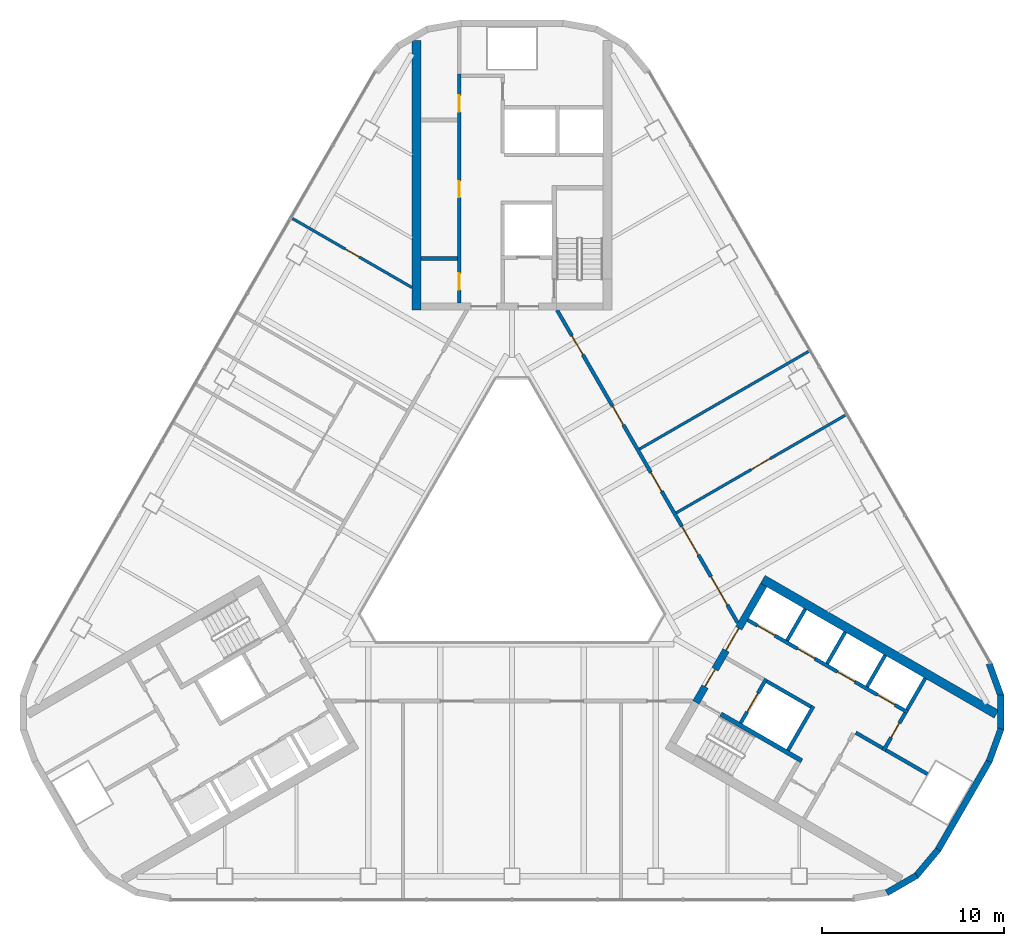
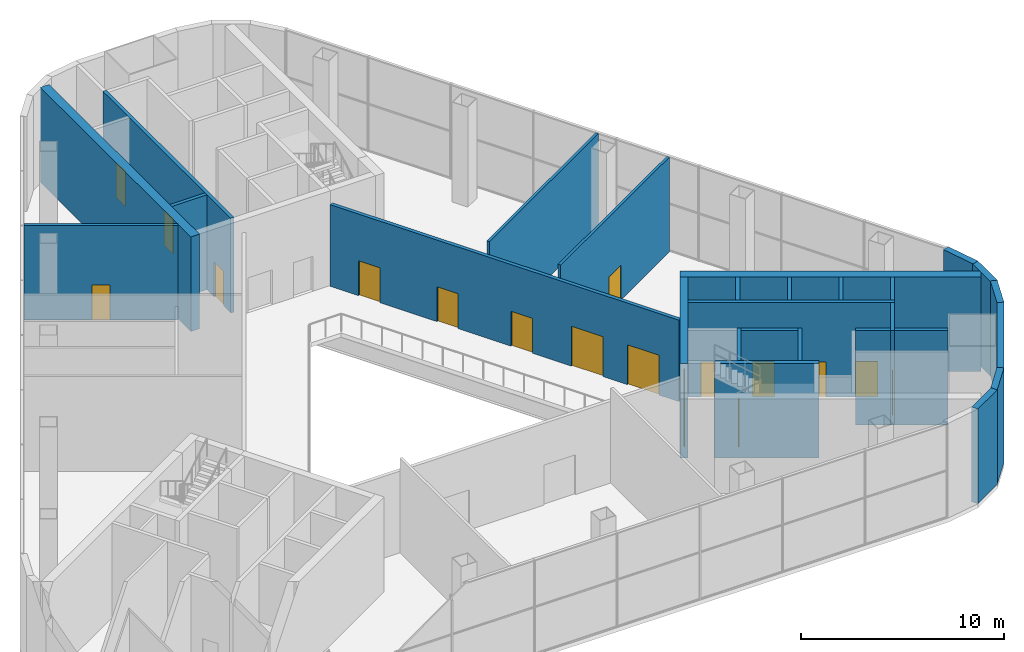
# One storey, part 9 of 14: 27 walls, 18 doors, 18 openings.
"""IFC4 building model written with IfcOpenShell, lengths in metres."""

import ifcopenshell
import ifcopenshell.guid

model = None  # the IFC model being written
_history = None  # IfcOwnerHistory: only IFC2X3 demands one
_inside = {}  # id of a spatial element -> (the spatial element, [elements in it])
_under = {}  # id of a project, library or spatial element -> (it, [spatial elements below it])
_declared = {}  # id of a project -> (the project, [libraries it declares])
_typed = {}  # id of a type object -> (the type object, [elements of that type])
_made_of = {}  # id of a material, layer set ... -> (it, [elements and type objects made of it])


def new_model(schema):
    """Start an empty IFC model of exactly this schema.

    Asked for "IFC4X3", IfcOpenShell would pick the latest addendum, in which some entities
    have other attributes; the version numbers below select the first issue.
    IFC2X3 requires an IfcOwnerHistory on every rooted entity: one is made here for all.
    """
    global model, _history
    if schema == "IFC4X3":
        model = ifcopenshell.file(schema_version=(4, 3, 0, 0))
    else:
        model = ifcopenshell.file(schema=schema)
    _inside.clear()
    _under.clear()
    _declared.clear()
    _typed.clear()
    _made_of.clear()
    _history = None
    if model.schema == "IFC2X3":
        org = make("IfcOrganization", Name="unknown")
        user = make(
            "IfcPersonAndOrganization",
            ThePerson=make("IfcPerson", FamilyName="unknown"),
            TheOrganization=org,
        )
        app = make(
            "IfcApplication",
            ApplicationDeveloper=org,
            Version="unknown",
            ApplicationFullName="unknown",
            ApplicationIdentifier="unknown",
        )
        _history = make(
            "IfcOwnerHistory",
            OwningUser=user,
            OwningApplication=app,
            ChangeAction="ADDED",
            CreationDate=0,
        )
    return model


def make(cls, **values):
    """One entity of the class cls with the attributes given. An attribute that is None is left unset."""
    return model.create_entity(
        cls, **{name: value for name, value in values.items() if value is not None}
    )


def rooted(cls, **values):
    """An entity with a GlobalId (a new one), such as an element, a storey or a relation."""
    return make(cls, GlobalId=ifcopenshell.guid.new(), OwnerHistory=_history, **values)


def si_unit(unit_type, name, prefix=None):
    """IfcSIUnit, for example si_unit("LENGTHUNIT", "METRE", prefix="MILLI")."""
    return make("IfcSIUnit", UnitType=unit_type, Prefix=prefix, Name=name)


def assignment(units):
    """IfcUnitAssignment: the units of a project."""
    return None if units is None else make("IfcUnitAssignment", Units=units)


def point(xyz):
    """IfcCartesianPoint."""
    return None if xyz is None else make("IfcCartesianPoint", Coordinates=xyz)


def direction(xyz):
    """IfcDirection."""
    return None if xyz is None else make("IfcDirection", DirectionRatios=xyz)


def frame(location, z_axis=None, x_axis=None):
    """IfcAxis2Placement3D, a coordinate frame: its origin and axes. An axis left out is left unset."""
    return make(
        "IfcAxis2Placement3D",
        Location=point(location),
        Axis=direction(z_axis),
        RefDirection=direction(x_axis),
    )


def frame_2d(location, x_axis=None):
    """IfcAxis2Placement2D, a coordinate frame in the plane: its origin and x axis."""
    return make(
        "IfcAxis2Placement2D", Location=point(location), RefDirection=direction(x_axis)
    )


def origin():
    """The frame at (0, 0, 0) with its axes left unset."""
    return frame((0.0, 0.0, 0.0))


def place(relative_to, where):
    """IfcLocalPlacement: puts the frame where relative to a parent placement (None: the world)."""
    return make(
        "IfcLocalPlacement", PlacementRelTo=relative_to, RelativePlacement=where
    )


def context(
    kind, dimensions, precision=None, world=None, true_north=None, identifier=None
):
    """IfcGeometricRepresentationContext, for example the 3D "Model" context."""
    return make(
        "IfcGeometricRepresentationContext",
        ContextIdentifier=identifier,
        ContextType=kind,
        CoordinateSpaceDimension=dimensions,
        Precision=precision,
        WorldCoordinateSystem=world,
        TrueNorth=true_north,
    )


def subcontext(parent, identifier, kind, view, scale=None):
    """IfcGeometricRepresentationSubContext, for example "Body" below "Model"."""
    return make(
        "IfcGeometricRepresentationSubContext",
        ContextIdentifier=identifier,
        ContextType=kind,
        ParentContext=parent,
        TargetScale=scale,
        TargetView=view,
    )


def project(units=None, contexts=None):
    """IfcProject with its units and contexts."""
    return rooted(
        "IfcProject",
        Name="project",
        RepresentationContexts=contexts,
        UnitsInContext=assignment(units),
    )


def spatial(cls, under=None, at=None, **own):
    """A site, building, storey or space (cls), placed at a placement, below another one or the project."""
    s = rooted(cls, ObjectPlacement=at, **own)
    if under is not None:
        _under.setdefault(under.id(), (under, []))[1].append(s)
    return s


def profile(cls, at=None, kind="AREA", **sizes):
    """A parametric profile (cls). Its sizes go by their IFC names, for example OverallWidth=200.0."""
    return make(cls, ProfileType=kind, Position=at, **sizes)


def rectangle(**sizes):
    """IfcRectangleProfileDef."""
    return profile("IfcRectangleProfileDef", **sizes)


def extrude(swept, where, along, depth):
    """IfcExtrudedAreaSolid: the profile swept, set in the frame where, extruded along a direction by depth."""
    return make(
        "IfcExtrudedAreaSolid",
        SweptArea=swept,
        Position=where,
        ExtrudedDirection=direction(along),
        Depth=depth,
    )


def shape(context_of_items, identifier, shape_type, items):
    """IfcShapeRepresentation: the items that make up one representation, for example the "Body"."""
    return make(
        "IfcShapeRepresentation",
        ContextOfItems=context_of_items,
        RepresentationIdentifier=identifier,
        RepresentationType=shape_type,
        Items=items,
    )


def material(Name=None, Category=None):
    """IfcMaterial."""
    return make("IfcMaterial", Name=Name, Category=Category)


def layer(
    of_material, thickness, ventilated=None, Name=None, Category=None, Priority=None
):
    """IfcMaterialLayer: one layer of a wall or slab, of a material (None: an air gap)."""
    return make(
        "IfcMaterialLayer",
        Material=of_material,
        LayerThickness=thickness,
        IsVentilated=ventilated,
        Name=Name,
        Category=Category,
        Priority=Priority,
    )


def layer_set(layers, Name=None):
    """IfcMaterialLayerSet."""
    return make("IfcMaterialLayerSet", MaterialLayers=layers, LayerSetName=Name)


def made_of(thing, what):
    """Note that an element or type object is made of a material, layer set ...; save() writes the relation."""
    if what is not None:
        _made_of.setdefault(what.id(), (what, []))[1].append(thing)
    return thing


def type_object(cls, material=None, **own):
    """A type object (cls), such as IfcWallType, which elements share."""
    return made_of(rooted(cls, **own), material)


def element(
    cls,
    number,
    at=None,
    inside=None,
    cuts=None,
    type_object=None,
    material=None,
    context=None,
    identifier="Body",
    shape_type=None,
    held_by="IfcProductDefinitionShape",
    body=None,
    shapes=None,
    **own,
):
    """One element of the class cls, such as IfcWall. Its Tag is "e" and its number.

    at: its placement. inside: the storey or other place that contains it. cuts: it is an
    opening in that element (IfcRelVoidsElement). A single representation is given by context,
    identifier, shape_type and body (its items); several are given by shapes. held_by: the class
    of the entity that holds the representations. save() writes the other relations.
    """
    e = rooted(cls, Tag="e%d" % number, ObjectPlacement=at, **own)
    if body is not None:
        shapes = [shape(context, identifier, shape_type, body)]
    if shapes is not None:
        e.Representation = make(held_by, Representations=shapes)
    if inside is not None:
        _inside.setdefault(inside.id(), (inside, []))[1].append(e)
    if cuts is not None:
        rooted(
            "IfcRelVoidsElement", RelatingBuildingElement=cuts, RelatedOpeningElement=e
        )
    if type_object is not None:
        _typed.setdefault(type_object.id(), (type_object, []))[1].append(e)
    return made_of(e, material)


def fill(opening, filler):
    """IfcRelFillsElement: the door or window that sits in an opening."""
    return rooted(
        "IfcRelFillsElement",
        RelatingOpeningElement=opening,
        RelatedBuildingElement=filler,
    )


def aggregate(whole, parts):
    """IfcRelAggregates: a whole, such as a stair, and the parts it consists of."""
    return rooted("IfcRelAggregates", RelatingObject=whole, RelatedObjects=parts)


def save(model, path):
    """Write the relations noted so far, then the file.

    IfcRelAggregates (storeys below a building ...), IfcRelContainedInSpatialStructure (elements
    in a storey), IfcRelDefinesByType, IfcRelAssociatesMaterial and IfcRelDeclares: one each for
    every whole, place, type object, material and project.
    """
    for whole, parts in _under.values():
        aggregate(whole, parts)
    for where, things in _inside.values():
        rooted(
            "IfcRelContainedInSpatialStructure",
            RelatedElements=things,
            RelatingStructure=where,
        )
    for kind, things in _typed.values():
        rooted("IfcRelDefinesByType", RelatedObjects=things, RelatingType=kind)
    for what, things in _made_of.values():
        rooted("IfcRelAssociatesMaterial", RelatedObjects=things, RelatingMaterial=what)
    for by, libraries in _declared.values():
        rooted("IfcRelDeclares", RelatingContext=by, RelatedDefinitions=libraries)
    model.write(path)


model = new_model("IFC4")

# Units and contexts
model_context = context("Model", 3, precision=1e-05, world=origin(), true_north=direction((0.0, 1.0)))
body_context = subcontext(model_context, "Body", "Model", "MODEL_VIEW")
ifc_project = project(units=[si_unit("LENGTHUNIT", "METRE"), si_unit("AREAUNIT", "SQUARE_METRE"), si_unit("VOLUMEUNIT", "CUBIC_METRE"), si_unit("PLANEANGLEUNIT", "RADIAN"), si_unit("MASSUNIT", "GRAM", prefix="KILO")], contexts=[model_context])

# Site, building, storey
site_placement = place(None, origin())
site = spatial("IfcSite", under=ifc_project, at=site_placement, CompositionType="ELEMENT")
building_placement = place(site_placement, origin())
building = spatial("IfcBuilding", under=site, at=building_placement, Name="Apuvela Tower Hotel", CompositionType="ELEMENT")
storey_placement = place(building_placement, frame((0.0, 0.0, 131.60009765625)))
storey = spatial("IfcBuildingStorey", under=building, at=storey_placement, Name="L31", CompositionType="ELEMENT", Elevation=131.60009765625)

# Wall, openings, doors
ifc_material_1 = material(Name="Concrete C50/60", Category="concrete")
ifc_layer_1 = layer(ifc_material_1, 0.39990234375)
ifc_layer_set_1 = layer_set([ifc_layer_1], Name="COR-WALL-CORE-400")
wall_type_1 = type_object("IfcWallType", Name="COR-WALL-CORE-400", PredefinedType="SHEAR", material=ifc_layer_set_1)
wall_1_placement = place(storey_placement, frame((10.119873046875, -8.671875, 0.0), z_axis=(0.0, 0.0, 1.0), x_axis=(0.500008956979, 0.866020232408, 0.0)))
wall_1 = element("IfcWall", 1, at=wall_1_placement, inside=storey, type_object=wall_type_1, Name="Core wall SE", PredefinedType="SHEAR", context=body_context, shape_type="SweptSolid", body=[
    extrude(rectangle(XDim=7.449951171875, YDim=0.39990234375, at=frame_2d((3.72509765625, 0.0))), origin(), (0.0, 0.0, 1.0), 5.699951171875),
])
opening_1_placement = place(wall_1_placement, frame((1.0, 0.0, 0.0)))
opening_1 = element("IfcOpeningElement", 2, at=opening_1_placement, cuts=wall_1, Name="Opening E-FD", PredefinedType="OPENING", context=body_context, shape_type="SweptSolid", body=[
    extrude(rectangle(XDim=1.10009765625, YDim=2.10009765625, at=frame_2d((0.550048828125, 1.050048828125))), frame((0.0, 0.2099609375, 0.0), z_axis=(0.0, -1.0, 0.0), x_axis=(1.0, 0.0, 0.0)), (0.0, 0.0, 1.0), 0.419921875),
])
opening_2_placement = place(wall_1_placement, frame((3.300048828125, 0.0, 0.0)))
opening_2 = element("IfcOpeningElement", 3, at=opening_2_placement, cuts=wall_1, Name="Opening E-GD", PredefinedType="OPENING", context=body_context, shape_type="SweptSolid", body=[
    extrude(rectangle(XDim=1.39990234375, YDim=2.10009765625, at=frame_2d((0.699951171875, 1.050048828125))), frame((0.0, 0.2099609375, 0.0), z_axis=(0.0, -1.0, 0.0), x_axis=(1.0, 0.0, 0.0)), (0.0, 0.0, 1.0), 0.419921875),
])
ifc_material_2 = material(Name="Steel fire door, powder coated", Category="steel")
door_type_1 = type_object("IfcDoorType", Name="COR-FD-1100", OperationType="NOTDEFINED", PredefinedType="DOOR", material=ifc_material_2)
door_1_placement = place(opening_1_placement, frame((1.10009765625, 0.0, 0.0), z_axis=(0.0, 0.0, 1.0), x_axis=(-1.0, 0.0, 0.0)))
door_1 = element("IfcDoor", 4, at=door_1_placement, inside=storey, type_object=door_type_1, Name="Firefighting lobby door E-FD", OperationType="SINGLE_SWING_LEFT", OverallHeight=2.10009765625, OverallWidth=1.10009765625, PredefinedType="DOOR", context=body_context, shape_type="SweptSolid", body=[
    extrude(rectangle(XDim=1.10009765625, YDim=2.10009765625, at=frame_2d((0.550048828125, 1.050048828125))), frame((0.0, 0.02490234375, 0.0), z_axis=(0.0, -1.0, 0.0), x_axis=(1.0, 0.0, 0.0)), (0.0, 0.0, 1.0), 0.050048828125),
])
fill(opening_1, door_1)
ifc_material_3 = material(Name="Glazed steel fire door", Category="steel")
door_type_2 = type_object("IfcDoorType", Name="COR-GD-1400", OperationType="DOUBLE_DOOR_SINGLE_SWING", PredefinedType="DOOR", material=ifc_material_3)
door_2_placement = place(opening_2_placement, frame((1.39990234375, 0.0, 0.0), z_axis=(0.0, 0.0, 1.0), x_axis=(-1.0, 0.0, 0.0)))
door_2 = element("IfcDoor", 5, at=door_2_placement, inside=storey, type_object=door_type_2, Name="Lift lobby door E-GD", OperationType="DOUBLE_DOOR_SINGLE_SWING", OverallHeight=2.10009765625, OverallWidth=1.39990234375, PredefinedType="DOOR", context=body_context, shape_type="SweptSolid", body=[
    extrude(rectangle(XDim=1.39990234375, YDim=2.10009765625, at=frame_2d((0.699951171875, 1.050048828125))), frame((0.0, 0.02490234375, 0.0), z_axis=(0.0, -1.0, 0.0), x_axis=(1.0, 0.0, 0.0)), (0.0, 0.0, 1.0), 0.050048828125),
])
fill(opening_2, door_2)

# Walls
ifc_layer_2 = layer(ifc_material_1, 0.5)
ifc_layer_set_2 = layer_set([ifc_layer_2], Name="COR-WALL-CORE-500")
wall_type_2 = type_object("IfcWallType", Name="COR-WALL-CORE-500", PredefinedType="SHEAR", material=ifc_layer_set_2)
for number, where, z_axis, x_axis, name in (
    (6, (-5.25, 12.89990234375, 0.0), (0.0, 0.0, 1.0), (0.0, 1.0, 0.0), "Core wall N"),
    (7, (13.796630859375, -1.9033203125, 0.0), (0.0, 0.0, 1.0), (0.866025009528, -0.500000682871, 0.0), "Core wall SE"),
):
    element("IfcWall", number, at=place(storey_placement, frame(where, z_axis=z_axis, x_axis=x_axis)), inside=storey, type_object=wall_type_2, Name=name, PredefinedType="SHEAR", context=body_context, shape_type="SweptSolid", body=[
        extrude(rectangle(XDim=14.8369140625, YDim=0.5, at=frame_2d((7.41845703125, 0.0))), origin(), (0.0, 0.0, 1.0), 5.699951171875),
    ])

# Wall, openings, doors
ifc_layer_3 = layer(ifc_material_1, 0.199951171875)
ifc_layer_set_3 = layer_set([ifc_layer_3], Name="COR-WALL-SHAFT-200")
wall_type_3 = type_object("IfcWallType", Name="COR-WALL-SHAFT-200", PredefinedType="SHEAR", material=ifc_layer_set_3)
wall_2_placement = place(storey_placement, frame((-2.89990234375, 13.300048828125, 0.0), z_axis=(0.0, 0.0, 1.0), x_axis=(0.0, 1.0, 0.0)))
wall_2 = element("IfcWall", 8, at=wall_2_placement, inside=storey, type_object=wall_type_3, Name="Shaft wall N", PredefinedType="SHEAR", context=body_context, shape_type="SweptSolid", body=[
    extrude(rectangle(XDim=12.599853515625, YDim=0.199951171875, at=frame_2d((6.2998046875, 0.0))), origin(), (0.0, 0.0, 1.0), 5.699951171875),
])
opening_3_placement = place(wall_2_placement, frame((0.719970703125, 0.0, 0.0)))
opening_3 = element("IfcOpeningElement", 9, at=opening_3_placement, cuts=wall_2, Name="Opening N-RE1", PredefinedType="OPENING", context=body_context, shape_type="SweptSolid", body=[
    extrude(rectangle(XDim=0.89990234375, YDim=2.10009765625, at=frame_2d((0.449951171875, 1.050048828125))), frame((0.0, 0.10986328125, 0.0), z_axis=(0.0, -1.0, 0.0), x_axis=(1.0, 0.0, 0.0)), (0.0, 0.0, 1.0), 0.219970703125),
])
opening_4_placement = place(wall_2_placement, frame((5.800048828125, 0.0, 0.0)))
opening_4 = element("IfcOpeningElement", 10, at=opening_4_placement, cuts=wall_2, Name="Opening N-RE2", PredefinedType="OPENING", context=body_context, shape_type="SweptSolid", body=[
    extrude(rectangle(XDim=0.89990234375, YDim=2.10009765625, at=frame_2d((0.449951171875, 1.050048828125))), frame((0.0, 0.10986328125, 0.0), z_axis=(0.0, -1.0, 0.0), x_axis=(1.0, 0.0, 0.0)), (0.0, 0.0, 1.0), 0.219970703125),
])
opening_5_placement = place(wall_2_placement, frame((10.510009765625, 0.0, 0.0)))
opening_5 = element("IfcOpeningElement", 11, at=opening_5_placement, cuts=wall_2, Name="Opening N-REP", PredefinedType="OPENING", context=body_context, shape_type="SweptSolid", body=[
    extrude(rectangle(XDim=0.89990234375, YDim=2.10009765625, at=frame_2d((0.449951171875, 1.050048828125))), frame((0.0, 0.10986328125, 0.0), z_axis=(0.0, -1.0, 0.0), x_axis=(1.0, 0.0, 0.0)), (0.0, 0.0, 1.0), 0.219970703125),
])
door_type_3 = type_object("IfcDoorType", Name="COR-DR-900", OperationType="NOTDEFINED", PredefinedType="DOOR", material=ifc_material_2)
door_3_placement = place(opening_3_placement, origin())
door_3 = element("IfcDoor", 12, at=door_3_placement, inside=storey, type_object=door_type_3, Name="Store door N-RE1", OperationType="SINGLE_SWING_LEFT", OverallHeight=2.10009765625, OverallWidth=0.89990234375, PredefinedType="DOOR", context=body_context, shape_type="SweptSolid", body=[
    extrude(rectangle(XDim=0.89990234375, YDim=2.10009765625, at=frame_2d((0.449951171875, 1.050048828125))), frame((0.0, 0.02490234375, 0.0), z_axis=(0.0, -1.0, 0.0), x_axis=(1.0, 0.0, 0.0)), (0.0, 0.0, 1.0), 0.050048828125),
])
fill(opening_3, door_3)
door_4_placement = place(opening_4_placement, origin())
door_4 = element("IfcDoor", 13, at=door_4_placement, inside=storey, type_object=door_type_3, Name="Store door N-RE2", OperationType="SINGLE_SWING_RIGHT", OverallHeight=2.10009765625, OverallWidth=0.89990234375, PredefinedType="DOOR", context=body_context, shape_type="SweptSolid", body=[
    extrude(rectangle(XDim=0.89990234375, YDim=2.10009765625, at=frame_2d((0.449951171875, 1.050048828125))), frame((0.0, 0.02490234375, 0.0), z_axis=(0.0, -1.0, 0.0), x_axis=(1.0, 0.0, 0.0)), (0.0, 0.0, 1.0), 0.050048828125),
])
fill(opening_4, door_4)
door_5_placement = place(opening_5_placement, origin())
door_5 = element("IfcDoor", 14, at=door_5_placement, inside=storey, type_object=door_type_3, Name="Store door N-REP", OperationType="SINGLE_SWING_RIGHT", OverallHeight=2.10009765625, OverallWidth=0.89990234375, PredefinedType="DOOR", context=body_context, shape_type="SweptSolid", body=[
    extrude(rectangle(XDim=0.89990234375, YDim=2.10009765625, at=frame_2d((0.449951171875, 1.050048828125))), frame((0.0, 0.02490234375, 0.0), z_axis=(0.0, -1.0, 0.0), x_axis=(1.0, 0.0, 0.0)), (0.0, 0.0, 1.0), 0.050048828125),
])
fill(opening_5, door_5)

# Walls
wall_3_placement = place(storey_placement, frame((-3.0, 15.739990234375, 0.0), z_axis=(0.0, 0.0, 1.0), x_axis=(-1.0, 0.0, 0.0)))
element("IfcWall", 15, at=wall_3_placement, inside=storey, type_object=wall_type_3, Name="Shaft wall N", PredefinedType="SHEAR", context=body_context, shape_type="SweptSolid", body=[
    extrude(rectangle(XDim=2.0, YDim=0.199951171875, at=frame_2d((1.0, 0.0))), origin(), (0.0, 0.0, 1.0), 5.699951171875),
])
wall_4_placement = place(storey_placement, frame((15.181396484375, -11.305419921875, 0.0), z_axis=(0.0, 0.0, 1.0), x_axis=(0.49994636267, 0.866056369097, 0.0)))
element("IfcWall", 16, at=wall_4_placement, inside=storey, type_object=wall_type_3, Name="Shaft wall SE", PredefinedType="SHEAR", context=body_context, shape_type="SweptSolid", body=[
    extrude(rectangle(XDim=2.800048828125, YDim=0.199951171875, at=frame_2d((1.39990234375, 0.0))), origin(), (0.0, 0.0, 1.0), 5.699951171875),
])

# Wall, opening, door
wall_5_placement = place(storey_placement, frame((12.583251953125, -9.805419921875, 0.0), z_axis=(0.0, 0.0, 1.0), x_axis=(0.49994636267, 0.866056369097, 0.0)))
wall_5 = element("IfcWall", 17, at=wall_5_placement, inside=storey, type_object=wall_type_3, Name="Shaft wall SE", PredefinedType="SHEAR", context=body_context, shape_type="SweptSolid", body=[
    extrude(rectangle(XDim=2.800048828125, YDim=0.199951171875, at=frame_2d((1.39990234375, 0.0))), origin(), (0.0, 0.0, 1.0), 5.699951171875),
])
opening_6_placement = place(wall_5_placement, frame((0.699951171875, 0.0, 0.0)))
opening_6 = element("IfcOpeningElement", 18, at=opening_6_placement, cuts=wall_5, Name="Opening E-LD-FS3", PredefinedType="OPENING", context=body_context, shape_type="SweptSolid", body=[
    extrude(rectangle(XDim=1.199951171875, YDim=2.10009765625, at=frame_2d((0.60009765625, 1.050048828125))), frame((0.0, 0.10986328125, 0.0), z_axis=(0.0, -1.0, 0.0), x_axis=(1.0, 0.0, 0.0)), (0.0, 0.0, 1.0), 0.219970703125),
])
ifc_material_4 = material(Name="Stainless steel lift landing door", Category="steel")
door_type_4 = type_object("IfcDoorType", Name="COR-LD-1200", OperationType="DOUBLE_DOOR_SLIDING", PredefinedType="DOOR", material=ifc_material_4)
door_6_placement = place(opening_6_placement, origin())
door_6 = element("IfcDoor", 19, at=door_6_placement, inside=storey, type_object=door_type_4, Name="Lift landing door E-LD-FS3", OperationType="DOUBLE_DOOR_SLIDING", OverallHeight=2.10009765625, OverallWidth=1.199951171875, PredefinedType="DOOR", context=body_context, shape_type="SweptSolid", body=[
    extrude(rectangle(XDim=1.199951171875, YDim=2.10009765625, at=frame_2d((0.60009765625, 1.050048828125))), frame((0.0, 0.02490234375, 0.0), z_axis=(0.0, -1.0, 0.0), x_axis=(1.0, 0.0, 0.0)), (0.0, 0.0, 1.0), 0.050048828125),
])
fill(opening_6, door_6)

# Wall
wall_6_placement = place(storey_placement, frame((14.019775390625, -7.51708984375, 0.0), z_axis=(0.0, 0.0, 1.0), x_axis=(0.866034573852, -0.49998411664, 0.0)))
element("IfcWall", 20, at=wall_6_placement, inside=storey, type_object=wall_type_3, Name="Shaft wall SE", PredefinedType="SHEAR", context=body_context, shape_type="SweptSolid", body=[
    extrude(rectangle(XDim=2.7998046875, YDim=0.199951171875, at=frame_2d((1.39990234375, 0.0))), origin(), (0.0, 0.0, 1.0), 5.699951171875),
])

# Wall, openings, doors
wall_7_placement = place(storey_placement, frame((12.968017578125, -4.138427734375, 0.0), z_axis=(0.0, 0.0, 1.0), x_axis=(0.866028328073, -0.49999493495, 0.0)))
wall_7 = element("IfcWall", 21, at=wall_7_placement, inside=storey, type_object=wall_type_3, Name="Shaft wall SE", PredefinedType="SHEAR", context=body_context, shape_type="SweptSolid", body=[
    extrude(rectangle(XDim=10.16015625, YDim=0.199951171875, at=frame_2d((5.080078125, 0.0))), origin(), (0.0, 0.0, 1.0), 5.699951171875),
])
opening_7_placement = place(wall_7_placement, frame((0.6201171875, 0.0, 0.0)))
opening_7 = element("IfcOpeningElement", 22, at=opening_7_placement, cuts=wall_7, Name="Opening E-LD-LR1", PredefinedType="OPENING", context=body_context, shape_type="SweptSolid", body=[
    extrude(rectangle(XDim=1.10009765625, YDim=2.10009765625, at=frame_2d((0.550048828125, 1.050048828125))), frame((0.0, 0.10986328125, 0.0), z_axis=(0.0, -1.0, 0.0), x_axis=(1.0, 0.0, 0.0)), (0.0, 0.0, 1.0), 0.219970703125),
])
opening_8_placement = place(wall_7_placement, frame((3.159912109375, 0.0, 0.0)))
opening_8 = element("IfcOpeningElement", 23, at=opening_8_placement, cuts=wall_7, Name="Opening E-LD-LR2", PredefinedType="OPENING", context=body_context, shape_type="SweptSolid", body=[
    extrude(rectangle(XDim=1.10009765625, YDim=2.10009765625, at=frame_2d((0.550048828125, 1.050048828125))), frame((0.0, 0.10986328125, 0.0), z_axis=(0.0, -1.0, 0.0), x_axis=(1.0, 0.0, 0.0)), (0.0, 0.0, 1.0), 0.219970703125),
])
opening_9_placement = place(wall_7_placement, frame((5.699951171875, 0.0, 0.0)))
opening_9 = element("IfcOpeningElement", 24, at=opening_9_placement, cuts=wall_7, Name="Opening E-LD-LR3", PredefinedType="OPENING", context=body_context, shape_type="SweptSolid", body=[
    extrude(rectangle(XDim=1.10009765625, YDim=2.10009765625, at=frame_2d((0.550048828125, 1.050048828125))), frame((0.0, 0.10986328125, 0.0), z_axis=(0.0, -1.0, 0.0), x_axis=(1.0, 0.0, 0.0)), (0.0, 0.0, 1.0), 0.219970703125),
])
opening_10_placement = place(wall_7_placement, frame((8.239990234375, 0.0, 0.0)))
opening_10 = element("IfcOpeningElement", 25, at=opening_10_placement, cuts=wall_7, Name="Opening E-LD-LR4", PredefinedType="OPENING", context=body_context, shape_type="SweptSolid", body=[
    extrude(rectangle(XDim=1.10009765625, YDim=2.10009765625, at=frame_2d((0.550048828125, 1.050048828125))), frame((0.0, 0.10986328125, 0.0), z_axis=(0.0, -1.0, 0.0), x_axis=(1.0, 0.0, 0.0)), (0.0, 0.0, 1.0), 0.219970703125),
])
door_type_5 = type_object("IfcDoorType", Name="COR-LD-1100", OperationType="DOUBLE_DOOR_SLIDING", PredefinedType="DOOR", material=ifc_material_4)
door_7_placement = place(opening_7_placement, origin())
door_7 = element("IfcDoor", 26, at=door_7_placement, inside=storey, type_object=door_type_5, Name="Lift landing door E-LD-LR1", OperationType="DOUBLE_DOOR_SLIDING", OverallHeight=2.10009765625, OverallWidth=1.10009765625, PredefinedType="DOOR", context=body_context, shape_type="SweptSolid", body=[
    extrude(rectangle(XDim=1.10009765625, YDim=2.10009765625, at=frame_2d((0.550048828125, 1.050048828125))), frame((0.0, 0.02490234375, 0.0), z_axis=(0.0, -1.0, 0.0), x_axis=(1.0, 0.0, 0.0)), (0.0, 0.0, 1.0), 0.050048828125),
])
fill(opening_7, door_7)
door_8_placement = place(opening_8_placement, origin())
door_8 = element("IfcDoor", 27, at=door_8_placement, inside=storey, type_object=door_type_5, Name="Lift landing door E-LD-LR2", OperationType="DOUBLE_DOOR_SLIDING", OverallHeight=2.10009765625, OverallWidth=1.10009765625, PredefinedType="DOOR", context=body_context, shape_type="SweptSolid", body=[
    extrude(rectangle(XDim=1.10009765625, YDim=2.10009765625, at=frame_2d((0.550048828125, 1.050048828125))), frame((0.0, 0.02490234375, 0.0), z_axis=(0.0, -1.0, 0.0), x_axis=(1.0, 0.0, 0.0)), (0.0, 0.0, 1.0), 0.050048828125),
])
fill(opening_8, door_8)
door_9_placement = place(opening_9_placement, origin())
door_9 = element("IfcDoor", 28, at=door_9_placement, inside=storey, type_object=door_type_5, Name="Lift landing door E-LD-LR3", OperationType="DOUBLE_DOOR_SLIDING", OverallHeight=2.10009765625, OverallWidth=1.10009765625, PredefinedType="DOOR", context=body_context, shape_type="SweptSolid", body=[
    extrude(rectangle(XDim=1.10009765625, YDim=2.10009765625, at=frame_2d((0.550048828125, 1.050048828125))), frame((0.0, 0.02490234375, 0.0), z_axis=(0.0, -1.0, 0.0), x_axis=(1.0, 0.0, 0.0)), (0.0, 0.0, 1.0), 0.050048828125),
])
fill(opening_9, door_9)
door_10_placement = place(opening_10_placement, origin())
door_10 = element("IfcDoor", 29, at=door_10_placement, inside=storey, type_object=door_type_5, Name="Lift landing door E-LD-LR4", OperationType="DOUBLE_DOOR_SLIDING", OverallHeight=2.10009765625, OverallWidth=1.10009765625, PredefinedType="DOOR", context=body_context, shape_type="SweptSolid", body=[
    extrude(rectangle(XDim=1.10009765625, YDim=2.10009765625, at=frame_2d((0.550048828125, 1.050048828125))), frame((0.0, 0.02490234375, 0.0), z_axis=(0.0, -1.0, 0.0), x_axis=(1.0, 0.0, 0.0)), (0.0, 0.0, 1.0), 0.050048828125),
])
fill(opening_10, door_10)

# Wall, opening, door
wall_8_placement = place(storey_placement, frame((20.430419921875, -11.33349609375, 0.0), z_axis=(0.0, 0.0, 1.0), x_axis=(0.500001309137, 0.866024647952, 0.0)))
wall_8 = element("IfcWall", 30, at=wall_8_placement, inside=storey, type_object=wall_type_3, Name="Shaft wall SE", PredefinedType="SHEAR", context=body_context, shape_type="SweptSolid", body=[
    extrude(rectangle(XDim=2.39990234375, YDim=0.199951171875, at=frame_2d((1.199951171875, 0.0))), origin(), (0.0, 0.0, 1.0), 5.699951171875),
])
opening_11_placement = place(wall_8_placement, frame((0.85009765625, 0.0, 0.0)))
opening_11 = element("IfcOpeningElement", 31, at=opening_11_placement, cuts=wall_8, Name="Opening E-REP", PredefinedType="OPENING", context=body_context, shape_type="SweptSolid", body=[
    extrude(rectangle(XDim=0.89990234375, YDim=2.10009765625, at=frame_2d((0.449951171875, 1.050048828125))), frame((0.0, 0.10986328125, 0.0), z_axis=(0.0, -1.0, 0.0), x_axis=(1.0, 0.0, 0.0)), (0.0, 0.0, 1.0), 0.219970703125),
])
door_11_placement = place(opening_11_placement, frame((0.89990234375, 0.0, 0.0), z_axis=(0.0, 0.0, 1.0), x_axis=(-1.0, 0.0, 0.0)))
door_11 = element("IfcDoor", 32, at=door_11_placement, inside=storey, type_object=door_type_3, Name="Store door E-REP", OperationType="SINGLE_SWING_RIGHT", OverallHeight=2.10009765625, OverallWidth=0.89990234375, PredefinedType="DOOR", context=body_context, shape_type="SweptSolid", body=[
    extrude(rectangle(XDim=0.89990234375, YDim=2.10009765625, at=frame_2d((0.449951171875, 1.050048828125))), frame((0.0, 0.02490234375, 0.0), z_axis=(0.0, -1.0, 0.0), x_axis=(1.0, 0.0, 0.0)), (0.0, 0.0, 1.0), 0.050048828125),
])
fill(opening_11, door_11)

# Walls
wall_9_placement = place(storey_placement, frame((18.912841796875, -10.342041015625, 0.0), z_axis=(0.0, 0.0, 1.0), x_axis=(0.866038183914, -0.499977863513, 0.0)))
element("IfcWall", 33, at=wall_9_placement, inside=storey, type_object=wall_type_3, Name="Shaft wall SE", PredefinedType="SHEAR", context=body_context, shape_type="SweptSolid", body=[
    extrude(rectangle(XDim=1.7099609375, YDim=0.199951171875, at=frame_2d((0.85498046875, 0.0))), origin(), (0.0, 0.0, 1.0), 5.699951171875),
])
for number, where, z_axis, x_axis, name in (
    (34, (15.131103515625, -5.27197265625, 0.0), (0.0, 0.0, 1.0), (0.499972520799, 0.866041268327, 0.0), "Shaft wall SE"),
    (35, (17.330810546875, -6.5419921875, 0.0), (0.0, 0.0, 1.0), (0.499972520799, 0.866041268327, 0.0), "Shaft wall SE"),
    (36, (19.530517578125, -7.81201171875, 0.0), (0.0, 0.0, 1.0), (0.499972520799, 0.866041268327, 0.0), "Shaft wall SE"),
    (37, (21.73046875, -9.081787109375, 0.0), (0.0, 0.0, 1.0), (0.50002537861, 0.866010750942, 0.0), "Shaft wall SE"),
):
    element("IfcWall", number, at=place(storey_placement, frame(where, z_axis=z_axis, x_axis=x_axis)), inside=storey, type_object=wall_type_3, Name=name, PredefinedType="SHEAR", context=body_context, shape_type="SweptSolid", body=[
        extrude(rectangle(XDim=2.0, YDim=0.199951171875, at=frame_2d((1.0, 0.0))), origin(), (0.0, 0.0, 1.0), 5.699951171875),
    ])
wall_10_placement = place(storey_placement, frame((20.56689453125, -11.297119140625, 0.0), z_axis=(0.0, 0.0, 1.0), x_axis=(0.866060851709, -0.499938597367, 0.0)))
element("IfcWall", 38, at=wall_10_placement, inside=storey, type_object=wall_type_3, Name="Shaft wall SE", PredefinedType="SHEAR", context=body_context, shape_type="SweptSolid", body=[
    extrude(rectangle(XDim=2.639892578125, YDim=0.199951171875, at=frame_2d((1.31982421875, 0.0))), origin(), (0.0, 0.0, 1.0), 5.699951171875),
])
ifc_layer_4 = layer(ifc_material_1, 0.25)
ifc_layer_set_4 = layer_set([ifc_layer_4], Name="COR-WALL-STAIR-250")
wall_type_4 = type_object("IfcWallType", Name="COR-WALL-STAIR-250", PredefinedType="SHEAR", material=ifc_layer_set_4)
wall_11_placement = place(storey_placement, frame((11.48681640625, -9.31640625, 0.0), z_axis=(0.0, 0.0, 1.0), x_axis=(0.866011695431, -0.500023742813, 0.0)))
element("IfcWall", 39, at=wall_11_placement, inside=storey, type_object=wall_type_4, Name="Stair wall SE", PredefinedType="SHEAR", context=body_context, shape_type="SweptSolid", body=[
    extrude(rectangle(XDim=5.143798828125, YDim=0.25, at=frame_2d((2.57177734375, 0.0))), origin(), (0.0, 0.0, 1.0), 5.699951171875),
])
ifc_material_5 = material(Name="Concrete C40/50, dark pigmented precast panel", Category="concrete")
ifc_layer_5 = layer(ifc_material_5, 0.35009765625)
ifc_layer_set_5 = layer_set([ifc_layer_5], Name="ENV-WALL-350")
wall_type_5 = type_object("IfcWallType", Name="ENV-WALL-350", PredefinedType="SOLIDWALL", material=ifc_layer_set_5)
for number, where, z_axis, x_axis, name in (
    (40, (20.609619140625, -19.146728515625, 0.0), (0.0, 0.0, 1.0), (0.866000389056, 0.500043324278, 0.0), "External wall L31-17"),
    (41, (22.217041015625, -18.230712890625, 0.0), (0.0, 0.0, 1.0), (0.642808304945, 0.766027077259, 0.0), "External wall L31-18"),
):
    element("IfcWall", number, at=place(storey_placement, frame(where, z_axis=z_axis, x_axis=x_axis)), inside=storey, type_object=wall_type_5, Name=name, PredefinedType="SOLIDWALL", context=body_context, shape_type="SweptSolid", body=[
        extrude(rectangle(XDim=1.909912109375, YDim=0.35009765625, at=frame_2d((0.955078125, 0.0))), origin(), (0.0, 0.0, 1.0), 5.699951171875),
    ])
wall_12_placement = place(storey_placement, frame((23.427490234375, -16.79248046875, 0.0), z_axis=(0.0, 0.0, 1.0), x_axis=(0.499986410639, 0.866033249463, 0.0)))
element("IfcWall", 42, at=wall_12_placement, inside=storey, type_object=wall_type_5, Name="External wall L31-19", PredefinedType="SOLIDWALL", context=body_context, shape_type="SweptSolid", body=[
    extrude(rectangle(XDim=5.657958984375, YDim=0.35009765625, at=frame_2d((2.8291015625, 0.0))), origin(), (0.0, 0.0, 1.0), 5.699951171875),
])
for number, where, z_axis, x_axis, name in (
    (43, (26.24365234375, -11.920166015625, 0.0), (0.0, 0.0, 1.0), (0.342030395486, 0.939688889242, 0.0), "External wall L31-20"),
    (44, (26.88623046875, -10.18505859375, 0.0), (0.0, 0.0, 1.0), (0.0, 1.0, 0.0), "External wall L31-21"),
    (45, (26.89697265625, -8.334716796875, 0.0), (0.0, 0.0, 1.0), (-0.342030395486, 0.939688889242, 0.0), "External wall L31-22"),
):
    element("IfcWall", number, at=place(storey_placement, frame(where, z_axis=z_axis, x_axis=x_axis)), inside=storey, type_object=wall_type_5, Name=name, PredefinedType="SOLIDWALL", context=body_context, shape_type="SweptSolid", body=[
        extrude(rectangle(XDim=1.91015625, YDim=0.35009765625, at=frame_2d((0.955078125, 0.0))), origin(), (0.0, 0.0, 1.0), 5.699951171875),
    ])

# Wall, openings, doors
ifc_material_6 = material(Name="Fire-rated gypsum board partition on steel stud", Category="steel")
ifc_layer_6 = layer(ifc_material_6, 0.199951171875)
ifc_layer_set_6 = layer_set([ifc_layer_6], Name="SPC-WALL-CORRIDOR")
wall_type_6 = type_object("IfcWallType", Name="SPC-WALL-CORRIDOR", PredefinedType="PARTITIONING", material=ifc_layer_set_6)
wall_13_placement = place(storey_placement, frame((12.4130859375, -4.300048828125, 0.0), z_axis=(0.0, 0.0, 1.0), x_axis=(-0.50000478328, 0.866022642139, 0.0)))
wall_13 = element("IfcWall", 46, at=wall_13_placement, inside=storey, type_object=wall_type_6, Name="Wall L31-NE-CW", PredefinedType="PARTITIONING", context=body_context, shape_type="SweptSolid", body=[
    extrude(rectangle(XDim=19.861083984375, YDim=0.199951171875, at=frame_2d((9.9306640625, 0.0))), origin(), (0.0, 0.0, 1.0), 4.909912109375),
])
opening_12_placement = place(wall_13_placement, frame((1.141845703125, 0.0, 0.0)))
opening_12 = element("IfcOpeningElement", 47, at=opening_12_placement, cuts=wall_13, Name="Opening L31-S02", PredefinedType="OPENING", context=body_context, shape_type="SweptSolid", body=[
    extrude(rectangle(XDim=1.800048828125, YDim=2.39990234375, at=frame_2d((0.89990234375, 1.199951171875))), frame((0.0, 0.10986328125, 0.0), z_axis=(0.0, -1.0, 0.0), x_axis=(1.0, 0.0, 0.0)), (0.0, 0.0, 1.0), 0.219970703125),
])
opening_13_placement = place(wall_13_placement, frame((4.3251953125, 0.0, 0.0)))
opening_13 = element("IfcOpeningElement", 48, at=opening_13_placement, cuts=wall_13, Name="Opening L31-S03", PredefinedType="OPENING", context=body_context, shape_type="SweptSolid", body=[
    extrude(rectangle(XDim=1.800048828125, YDim=2.39990234375, at=frame_2d((0.89990234375, 1.199951171875))), frame((0.0, 0.10986328125, 0.0), z_axis=(0.0, -1.0, 0.0), x_axis=(1.0, 0.0, 0.0)), (0.0, 0.0, 1.0), 0.219970703125),
])
opening_14_placement = place(wall_13_placement, frame((8.35546875, 0.0, 0.0)))
opening_14 = element("IfcOpeningElement", 49, at=opening_14_placement, cuts=wall_13, Name="Opening L31-S04", PredefinedType="OPENING", context=body_context, shape_type="SweptSolid", body=[
    extrude(rectangle(XDim=1.199951171875, YDim=2.10009765625, at=frame_2d((0.60009765625, 1.050048828125))), frame((0.0, 0.10986328125, 0.0), z_axis=(0.0, -1.0, 0.0), x_axis=(1.0, 0.0, 0.0)), (0.0, 0.0, 1.0), 0.219970703125),
])
opening_15_placement = place(wall_13_placement, frame((12.5732421875, 0.0, 0.0)))
opening_15 = element("IfcOpeningElement", 50, at=opening_15_placement, cuts=wall_13, Name="Opening L31-S05", PredefinedType="OPENING", context=body_context, shape_type="SweptSolid", body=[
    extrude(rectangle(XDim=1.199951171875, YDim=2.10009765625, at=frame_2d((0.60009765625, 1.050048828125))), frame((0.0, 0.10986328125, 0.0), z_axis=(0.0, -1.0, 0.0), x_axis=(1.0, 0.0, 0.0)), (0.0, 0.0, 1.0), 0.219970703125),
])
opening_16_placement = place(wall_13_placement, frame((17.03173828125, 0.0, 0.0)))
opening_16 = element("IfcOpeningElement", 51, at=opening_16_placement, cuts=wall_13, Name="Opening L31-S06", PredefinedType="OPENING", context=body_context, shape_type="SweptSolid", body=[
    extrude(rectangle(XDim=1.199951171875, YDim=2.10009765625, at=frame_2d((0.60009765625, 1.050048828125))), frame((0.0, 0.10986328125, 0.0), z_axis=(0.0, -1.0, 0.0), x_axis=(1.0, 0.0, 0.0)), (0.0, 0.0, 1.0), 0.219970703125),
])
ifc_material_7 = material(Name="Fire-rated hardwood veneer door leaf", Category="wood")
door_type_6 = type_object("IfcDoorType", Name="SPC-DOOR-1200-FD", OperationType="NOTDEFINED", PredefinedType="DOOR", material=ifc_material_7)
door_12_placement = place(opening_14_placement, origin())
door_12 = element("IfcDoor", 52, at=door_12_placement, inside=storey, type_object=door_type_6, Name="L31-S04", OperationType="SINGLE_SWING_LEFT", OverallHeight=2.10009765625, OverallWidth=1.199951171875, PredefinedType="DOOR", context=body_context, shape_type="SweptSolid", body=[
    extrude(rectangle(XDim=1.199951171875, YDim=2.10009765625, at=frame_2d((0.60009765625, 1.050048828125))), frame((0.0, 0.02490234375, 0.0), z_axis=(0.0, -1.0, 0.0), x_axis=(1.0, 0.0, 0.0)), (0.0, 0.0, 1.0), 0.050048828125),
])
fill(opening_14, door_12)
ifc_material_8 = material(Name="Steel fire door leaf", Category="steel")
door_type_7 = type_object("IfcDoorType", Name="SPC-DOOR-1200-REFUGE", OperationType="NOTDEFINED", PredefinedType="DOOR", material=ifc_material_8)
door_13_placement = place(opening_15_placement, origin())
door_13 = element("IfcDoor", 53, at=door_13_placement, inside=storey, type_object=door_type_7, Name="L31-S05", OperationType="SINGLE_SWING_LEFT", OverallHeight=2.10009765625, OverallWidth=1.199951171875, PredefinedType="DOOR", context=body_context, shape_type="SweptSolid", body=[
    extrude(rectangle(XDim=1.199951171875, YDim=2.10009765625, at=frame_2d((0.60009765625, 1.050048828125))), frame((0.0, 0.02490234375, 0.0), z_axis=(0.0, -1.0, 0.0), x_axis=(1.0, 0.0, 0.0)), (0.0, 0.0, 1.0), 0.050048828125),
])
fill(opening_15, door_13)
door_14_placement = place(opening_16_placement, origin())
door_14 = element("IfcDoor", 54, at=door_14_placement, inside=storey, type_object=door_type_7, Name="L31-S06", OperationType="SINGLE_SWING_RIGHT", OverallHeight=2.10009765625, OverallWidth=1.199951171875, PredefinedType="DOOR", context=body_context, shape_type="SweptSolid", body=[
    extrude(rectangle(XDim=1.199951171875, YDim=2.10009765625, at=frame_2d((0.60009765625, 1.050048828125))), frame((0.0, 0.02490234375, 0.0), z_axis=(0.0, -1.0, 0.0), x_axis=(1.0, 0.0, 0.0)), (0.0, 0.0, 1.0), 0.050048828125),
])
fill(opening_16, door_14)
door_type_8 = type_object("IfcDoorType", Name="SPC-DOOR-1800-FD", OperationType="NOTDEFINED", PredefinedType="DOOR", material=ifc_material_7)
door_15_placement = place(opening_12_placement, origin())
door_15 = element("IfcDoor", 55, at=door_15_placement, inside=storey, type_object=door_type_8, Name="L31-S02", OperationType="DOUBLE_DOOR_SINGLE_SWING", OverallHeight=2.39990234375, OverallWidth=1.800048828125, PredefinedType="DOOR", context=body_context, shape_type="SweptSolid", body=[
    extrude(rectangle(XDim=1.800048828125, YDim=2.39990234375, at=frame_2d((0.89990234375, 1.199951171875))), frame((0.0, 0.02490234375, 0.0), z_axis=(0.0, -1.0, 0.0), x_axis=(1.0, 0.0, 0.0)), (0.0, 0.0, 1.0), 0.050048828125),
])
fill(opening_12, door_15)
door_16_placement = place(opening_13_placement, origin())
door_16 = element("IfcDoor", 56, at=door_16_placement, inside=storey, type_object=door_type_8, Name="L31-S03", OperationType="DOUBLE_DOOR_SINGLE_SWING", OverallHeight=2.39990234375, OverallWidth=1.800048828125, PredefinedType="DOOR", context=body_context, shape_type="SweptSolid", body=[
    extrude(rectangle(XDim=1.800048828125, YDim=2.39990234375, at=frame_2d((0.89990234375, 1.199951171875))), frame((0.0, 0.02490234375, 0.0), z_axis=(0.0, -1.0, 0.0), x_axis=(1.0, 0.0, 0.0)), (0.0, 0.0, 1.0), 0.050048828125),
])
fill(opening_13, door_16)

# Wall, opening, door
ifc_material_9 = material(Name="Gypsum board partition on steel stud", Category="steel")
ifc_layer_7 = layer(ifc_material_9, 0.14990234375)
ifc_layer_set_7 = layer_set([ifc_layer_7], Name="SPC-WALL-PARTITION")
wall_type_7 = type_object("IfcWallType", Name="SPC-WALL-PARTITION", PredefinedType="PARTITIONING", material=ifc_layer_set_7)
wall_14_placement = place(storey_placement, frame((18.326904296875, 7.116943359375, 0.0), z_axis=(0.0, 0.0, 1.0), x_axis=(-0.866026447599, -0.499998192055, 0.0)))
wall_14 = element("IfcWall", 57, at=wall_14_placement, inside=storey, type_object=wall_type_7, Name="Wall L31-NE-P01", PredefinedType="PARTITIONING", context=body_context, shape_type="SweptSolid", body=[
    extrude(rectangle(XDim=10.72998046875, YDim=0.14990234375, at=frame_2d((5.364990234375, 0.0))), origin(), (0.0, 0.0, 1.0), 5.699951171875),
])
opening_17_placement = place(wall_14_placement, frame((4.764892578125, 0.0, 0.0)))
opening_17 = element("IfcOpeningElement", 58, at=opening_17_placement, cuts=wall_14, Name="Opening L31-S01", PredefinedType="OPENING", context=body_context, shape_type="SweptSolid", body=[
    extrude(rectangle(XDim=1.199951171875, YDim=2.10009765625, at=frame_2d((0.60009765625, 1.050048828125))), frame((0.0, 0.0849609375, 0.0), z_axis=(0.0, -1.0, 0.0), x_axis=(1.0, 0.0, 0.0)), (0.0, 0.0, 1.0), 0.169921875),
])
door_17_placement = place(opening_17_placement, frame((1.199951171875, 0.0, 0.0), z_axis=(0.0, 0.0, 1.0), x_axis=(-1.0, 0.0, 0.0)))
door_17 = element("IfcDoor", 59, at=door_17_placement, inside=storey, type_object=door_type_6, Name="L31-S01", OperationType="SINGLE_SWING_RIGHT", OverallHeight=2.10009765625, OverallWidth=1.199951171875, PredefinedType="DOOR", context=body_context, shape_type="SweptSolid", body=[
    extrude(rectangle(XDim=1.199951171875, YDim=2.10009765625, at=frame_2d((0.60009765625, 1.050048828125))), frame((0.0, 0.02490234375, 0.0), z_axis=(0.0, -1.0, 0.0), x_axis=(1.0, 0.0, 0.0)), (0.0, 0.0, 1.0), 0.050048828125),
])
fill(opening_17, door_17)

wall_15_placement = place(storey_placement, frame((-12.076904296875, 17.942138671875, 0.0), z_axis=(0.0, 0.0, 1.0), x_axis=(0.866028729371, -0.499994239872, 0.0)))
wall_15 = element("IfcWall", 60, at=wall_15_placement, inside=storey, type_object=wall_type_7, Name="Wall L31-NW-P02", PredefinedType="PARTITIONING", context=body_context, shape_type="SweptSolid", body=[
    extrude(rectangle(XDim=7.59423828125, YDim=0.14990234375, at=frame_2d((3.797119140625, 0.0))), origin(), (0.0, 0.0, 1.0), 5.699951171875),
])
opening_18_placement = place(wall_15_placement, frame((3.34716796875, 0.0, 0.0)))
opening_18 = element("IfcOpeningElement", 61, at=opening_18_placement, cuts=wall_15, Name="Opening L31-S12", PredefinedType="OPENING", context=body_context, shape_type="SweptSolid", body=[
    extrude(rectangle(XDim=0.89990234375, YDim=2.10009765625, at=frame_2d((0.449951171875, 1.050048828125))), frame((0.0, 0.0849609375, 0.0), z_axis=(0.0, -1.0, 0.0), x_axis=(1.0, 0.0, 0.0)), (0.0, 0.0, 1.0), 0.169921875),
])
ifc_material_10 = material(Name="Hardwood veneer door leaf", Category="wood")
door_type_9 = type_object("IfcDoorType", Name="SPC-DOOR-900", OperationType="NOTDEFINED", PredefinedType="DOOR", material=ifc_material_10)
door_18_placement = place(opening_18_placement, origin())
door_18 = element("IfcDoor", 62, at=door_18_placement, inside=storey, type_object=door_type_9, Name="L31-S12", OperationType="SINGLE_SWING_LEFT", OverallHeight=2.10009765625, OverallWidth=0.89990234375, PredefinedType="DOOR", context=body_context, shape_type="SweptSolid", body=[
    extrude(rectangle(XDim=0.89990234375, YDim=2.10009765625, at=frame_2d((0.449951171875, 1.050048828125))), frame((0.0, 0.02490234375, 0.0), z_axis=(0.0, -1.0, 0.0), x_axis=(1.0, 0.0, 0.0)), (0.0, 0.0, 1.0), 0.050048828125),
])
fill(opening_18, door_18)

# Wall
ifc_material_11 = material(Name="Reinforced blockwork B15", Category="masonry")
ifc_layer_8 = layer(ifc_material_11, 0.14990234375)
ifc_layer_set_8 = layer_set([ifc_layer_8], Name="SPC-WALL-PLANT-150")
wall_type_8 = type_object("IfcWallType", Name="SPC-WALL-PLANT-150", PredefinedType="PARTITIONING", material=ifc_layer_set_8)
wall_16_placement = place(storey_placement, frame((16.302001953125, 10.624267578125, 0.0), z_axis=(0.0, 0.0, 1.0), x_axis=(-0.866026447599, -0.499998192055, 0.0)))
element("IfcWall", 63, at=wall_16_placement, inside=storey, type_object=wall_type_8, Name="Wall L31-NE-P02", PredefinedType="PARTITIONING", context=body_context, shape_type="SweptSolid", body=[
    extrude(rectangle(XDim=10.72998046875, YDim=0.14990234375, at=frame_2d((5.364990234375, 0.0))), origin(), (0.0, 0.0, 1.0), 5.699951171875),
])

save(model, "model.ifc")
